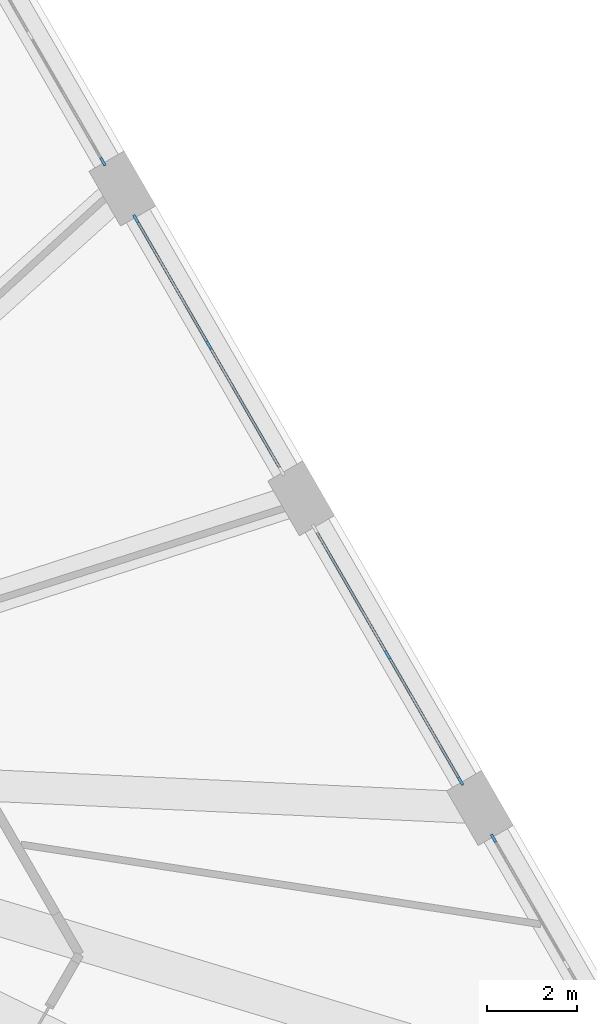
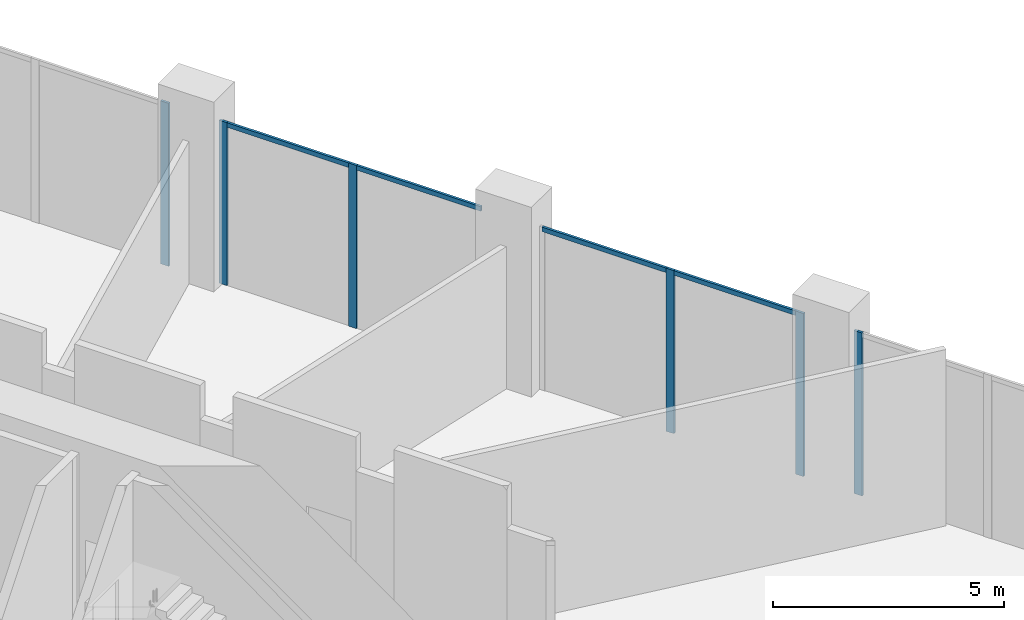
# One storey, part 10 of 20: 10 members, 4 elements without a shape of their own.
"""IFC4 building model written with IfcOpenShell, lengths in metres."""

import ifcopenshell
import ifcopenshell.guid

model = None  # the IFC model being written
_history = None  # IfcOwnerHistory: only IFC2X3 demands one
_inside = {}  # id of a spatial element -> (the spatial element, [elements in it])
_under = {}  # id of a project, library or spatial element -> (it, [spatial elements below it])
_declared = {}  # id of a project -> (the project, [libraries it declares])
_typed = {}  # id of a type object -> (the type object, [elements of that type])
_made_of = {}  # id of a material, layer set ... -> (it, [elements and type objects made of it])


def new_model(schema):
    """Start an empty IFC model of exactly this schema.

    Asked for "IFC4X3", IfcOpenShell would pick the latest addendum, in which some entities
    have other attributes; the version numbers below select the first issue.
    IFC2X3 requires an IfcOwnerHistory on every rooted entity: one is made here for all.
    """
    global model, _history
    if schema == "IFC4X3":
        model = ifcopenshell.file(schema_version=(4, 3, 0, 0))
    else:
        model = ifcopenshell.file(schema=schema)
    _inside.clear()
    _under.clear()
    _declared.clear()
    _typed.clear()
    _made_of.clear()
    _history = None
    if model.schema == "IFC2X3":
        org = make("IfcOrganization", Name="unknown")
        user = make(
            "IfcPersonAndOrganization",
            ThePerson=make("IfcPerson", FamilyName="unknown"),
            TheOrganization=org,
        )
        app = make(
            "IfcApplication",
            ApplicationDeveloper=org,
            Version="unknown",
            ApplicationFullName="unknown",
            ApplicationIdentifier="unknown",
        )
        _history = make(
            "IfcOwnerHistory",
            OwningUser=user,
            OwningApplication=app,
            ChangeAction="ADDED",
            CreationDate=0,
        )
    return model


def make(cls, **values):
    """One entity of the class cls with the attributes given. An attribute that is None is left unset."""
    return model.create_entity(
        cls, **{name: value for name, value in values.items() if value is not None}
    )


def rooted(cls, **values):
    """An entity with a GlobalId (a new one), such as an element, a storey or a relation."""
    return make(cls, GlobalId=ifcopenshell.guid.new(), OwnerHistory=_history, **values)


def si_unit(unit_type, name, prefix=None):
    """IfcSIUnit, for example si_unit("LENGTHUNIT", "METRE", prefix="MILLI")."""
    return make("IfcSIUnit", UnitType=unit_type, Prefix=prefix, Name=name)


def assignment(units):
    """IfcUnitAssignment: the units of a project."""
    return None if units is None else make("IfcUnitAssignment", Units=units)


def point(xyz):
    """IfcCartesianPoint."""
    return None if xyz is None else make("IfcCartesianPoint", Coordinates=xyz)


def direction(xyz):
    """IfcDirection."""
    return None if xyz is None else make("IfcDirection", DirectionRatios=xyz)


def frame(location, z_axis=None, x_axis=None):
    """IfcAxis2Placement3D, a coordinate frame: its origin and axes. An axis left out is left unset."""
    return make(
        "IfcAxis2Placement3D",
        Location=point(location),
        Axis=direction(z_axis),
        RefDirection=direction(x_axis),
    )


def frame_2d(location, x_axis=None):
    """IfcAxis2Placement2D, a coordinate frame in the plane: its origin and x axis."""
    return make(
        "IfcAxis2Placement2D", Location=point(location), RefDirection=direction(x_axis)
    )


def origin():
    """The frame at (0, 0, 0) with its axes left unset."""
    return frame((0.0, 0.0, 0.0))


def origin_2d():
    """The frame at (0, 0) in the plane with its x axis left unset."""
    return frame_2d((0.0, 0.0))


def place(relative_to, where):
    """IfcLocalPlacement: puts the frame where relative to a parent placement (None: the world)."""
    return make(
        "IfcLocalPlacement", PlacementRelTo=relative_to, RelativePlacement=where
    )


def context(
    kind, dimensions, precision=None, world=None, true_north=None, identifier=None
):
    """IfcGeometricRepresentationContext, for example the 3D "Model" context."""
    return make(
        "IfcGeometricRepresentationContext",
        ContextIdentifier=identifier,
        ContextType=kind,
        CoordinateSpaceDimension=dimensions,
        Precision=precision,
        WorldCoordinateSystem=world,
        TrueNorth=true_north,
    )


def subcontext(parent, identifier, kind, view, scale=None):
    """IfcGeometricRepresentationSubContext, for example "Body" below "Model"."""
    return make(
        "IfcGeometricRepresentationSubContext",
        ContextIdentifier=identifier,
        ContextType=kind,
        ParentContext=parent,
        TargetScale=scale,
        TargetView=view,
    )


def project(units=None, contexts=None):
    """IfcProject with its units and contexts."""
    return rooted(
        "IfcProject",
        Name="project",
        RepresentationContexts=contexts,
        UnitsInContext=assignment(units),
    )


def spatial(cls, under=None, at=None, **own):
    """A site, building, storey or space (cls), placed at a placement, below another one or the project."""
    s = rooted(cls, ObjectPlacement=at, **own)
    if under is not None:
        _under.setdefault(under.id(), (under, []))[1].append(s)
    return s


def profile(cls, at=None, kind="AREA", **sizes):
    """A parametric profile (cls). Its sizes go by their IFC names, for example OverallWidth=200.0."""
    return make(cls, ProfileType=kind, Position=at, **sizes)


def rectangle(**sizes):
    """IfcRectangleProfileDef."""
    return profile("IfcRectangleProfileDef", **sizes)


def extrude(swept, where, along, depth):
    """IfcExtrudedAreaSolid: the profile swept, set in the frame where, extruded along a direction by depth."""
    return make(
        "IfcExtrudedAreaSolid",
        SweptArea=swept,
        Position=where,
        ExtrudedDirection=direction(along),
        Depth=depth,
    )


def shape(context_of_items, identifier, shape_type, items):
    """IfcShapeRepresentation: the items that make up one representation, for example the "Body"."""
    return make(
        "IfcShapeRepresentation",
        ContextOfItems=context_of_items,
        RepresentationIdentifier=identifier,
        RepresentationType=shape_type,
        Items=items,
    )


def material(Name=None, Category=None):
    """IfcMaterial."""
    return make("IfcMaterial", Name=Name, Category=Category)


def layer(
    of_material, thickness, ventilated=None, Name=None, Category=None, Priority=None
):
    """IfcMaterialLayer: one layer of a wall or slab, of a material (None: an air gap)."""
    return make(
        "IfcMaterialLayer",
        Material=of_material,
        LayerThickness=thickness,
        IsVentilated=ventilated,
        Name=Name,
        Category=Category,
        Priority=Priority,
    )


def layer_set(layers, Name=None):
    """IfcMaterialLayerSet."""
    return make("IfcMaterialLayerSet", MaterialLayers=layers, LayerSetName=Name)


def material_profile(
    of_material, cross_section, Name=None, Category=None, Priority=None
):
    """IfcMaterialProfile: a cross section and its material."""
    return make(
        "IfcMaterialProfile",
        Name=Name,
        Material=of_material,
        Profile=cross_section,
        Priority=Priority,
        Category=Category,
    )


def profile_set(profiles, Name=None, composite=None):
    """IfcMaterialProfileSet."""
    return make(
        "IfcMaterialProfileSet",
        Name=Name,
        MaterialProfiles=profiles,
        CompositeProfile=composite,
    )


def made_of(thing, what):
    """Note that an element or type object is made of a material, layer set ...; save() writes the relation."""
    if what is not None:
        _made_of.setdefault(what.id(), (what, []))[1].append(thing)
    return thing


def type_object(cls, material=None, **own):
    """A type object (cls), such as IfcWallType, which elements share."""
    return made_of(rooted(cls, **own), material)


def element(
    cls,
    number,
    at=None,
    inside=None,
    cuts=None,
    type_object=None,
    material=None,
    context=None,
    identifier="Body",
    shape_type=None,
    held_by="IfcProductDefinitionShape",
    body=None,
    shapes=None,
    **own,
):
    """One element of the class cls, such as IfcWall. Its Tag is "e" and its number.

    at: its placement. inside: the storey or other place that contains it. cuts: it is an
    opening in that element (IfcRelVoidsElement). A single representation is given by context,
    identifier, shape_type and body (its items); several are given by shapes. held_by: the class
    of the entity that holds the representations. save() writes the other relations.
    """
    e = rooted(cls, Tag="e%d" % number, ObjectPlacement=at, **own)
    if body is not None:
        shapes = [shape(context, identifier, shape_type, body)]
    if shapes is not None:
        e.Representation = make(held_by, Representations=shapes)
    if inside is not None:
        _inside.setdefault(inside.id(), (inside, []))[1].append(e)
    if cuts is not None:
        rooted(
            "IfcRelVoidsElement", RelatingBuildingElement=cuts, RelatedOpeningElement=e
        )
    if type_object is not None:
        _typed.setdefault(type_object.id(), (type_object, []))[1].append(e)
    return made_of(e, material)


def aggregate(whole, parts):
    """IfcRelAggregates: a whole, such as a stair, and the parts it consists of."""
    return rooted("IfcRelAggregates", RelatingObject=whole, RelatedObjects=parts)


def save(model, path):
    """Write the relations noted so far, then the file.

    IfcRelAggregates (storeys below a building ...), IfcRelContainedInSpatialStructure (elements
    in a storey), IfcRelDefinesByType, IfcRelAssociatesMaterial and IfcRelDeclares: one each for
    every whole, place, type object, material and project.
    """
    for whole, parts in _under.values():
        aggregate(whole, parts)
    for where, things in _inside.values():
        rooted(
            "IfcRelContainedInSpatialStructure",
            RelatedElements=things,
            RelatingStructure=where,
        )
    for kind, things in _typed.values():
        rooted("IfcRelDefinesByType", RelatedObjects=things, RelatingType=kind)
    for what, things in _made_of.values():
        rooted("IfcRelAssociatesMaterial", RelatedObjects=things, RelatingMaterial=what)
    for by, libraries in _declared.values():
        rooted("IfcRelDeclares", RelatingContext=by, RelatedDefinitions=libraries)
    model.write(path)


model = new_model("IFC4")

# Units and contexts
model_context = context("Model", 3, precision=1e-05, world=origin(), true_north=direction((0.0, 1.0)))
body_context = subcontext(model_context, "Body", "Model", "MODEL_VIEW")
ifc_project = project(units=[si_unit("LENGTHUNIT", "METRE"), si_unit("AREAUNIT", "SQUARE_METRE"), si_unit("VOLUMEUNIT", "CUBIC_METRE"), si_unit("PLANEANGLEUNIT", "RADIAN"), si_unit("MASSUNIT", "GRAM", prefix="KILO")], contexts=[model_context])

# Site, building, storey
site_placement = place(None, origin())
site = spatial("IfcSite", under=ifc_project, at=site_placement, CompositionType="ELEMENT")
building_placement = place(site_placement, origin())
building = spatial("IfcBuilding", under=site, at=building_placement, Name="Tramontana Tower", CompositionType="ELEMENT")
storey_placement = place(building_placement, frame((0.0, 0.0, 10.0)))
storey = spatial("IfcBuildingStorey", under=building, at=storey_placement, Name="L01", CompositionType="ELEMENT", Elevation=10.0)

# Curtain wall, member
ifc_material_1 = material(Name="Aluminum extrusion", Category="aluminium")
ifc_layer = layer(ifc_material_1, 0.14990234375)
ifc_layer_set = layer_set([ifc_layer], Name="CW2 Podium amenity curtain wall")
curtain_wall_type = type_object("IfcCurtainWallType", Name="CW2 Podium amenity curtain wall", PredefinedType="NOTDEFINED", material=ifc_layer_set)
curtain_wall_1_placement = place(storey_placement, origin())
curtain_wall_1 = element("IfcCurtainWall", 1, at=curtain_wall_1_placement, inside=storey, type_object=curtain_wall_type, Name="CW2 curtain wall L01 face 2 bay 2", PredefinedType="NOTDEFINED")
ifc_material_2 = material(Name="Aluminum extrusion", Category="aluminium")
ifc_material_profile_1 = material_profile(ifc_material_2, rectangle(XDim=0.06005859375, YDim=0.199951171875, at=origin_2d()), Name="CW2-M Mullion 60 x 200")
ifc_profile_set_1 = profile_set([ifc_material_profile_1], Name="Aluminum extrusion")
member_type_1 = type_object("IfcMemberType", Name="CW2-M Mullion 60 x 200", PredefinedType="MULLION", material=ifc_profile_set_1)
member_1_placement = place(storey_placement, frame((22.30322265625, -1.680419921875, 0.0), z_axis=(0.0, 0.0, 1.0), x_axis=(-0.866025403784, -0.5, 0.0)))
member_1 = element("IfcMember", 2, at=member_1_placement, type_object=member_type_1, Name="CW2 curtain wall L01 face 2 bay 2 mullion 3", PredefinedType="MULLION", context=body_context, shape_type="SweptSolid", body=[
    extrude(rectangle(XDim=0.06005859375, YDim=0.199951171875, at=origin_2d()), origin(), (0.0, 0.0, 1.0), 4.300048828125),
])
aggregate(curtain_wall_1, [member_1])

# Curtain wall, members
curtain_wall_2_placement = place(storey_placement, origin())
curtain_wall_2 = element("IfcCurtainWall", 3, at=curtain_wall_2_placement, inside=storey, type_object=curtain_wall_type, Name="CW2 curtain wall L01 face 2 bay 3", PredefinedType="NOTDEFINED")
member_2_placement = place(storey_placement, frame((21.5732421875, -0.416015625, 0.0), z_axis=(0.0, 0.0, 1.0), x_axis=(-0.866025403784, -0.5, 0.0)))
member_2 = element("IfcMember", 4, at=member_2_placement, type_object=member_type_1, Name="CW2 curtain wall L01 face 2 bay 3 mullion 1", PredefinedType="MULLION", context=body_context, shape_type="SweptSolid", body=[
    extrude(rectangle(XDim=0.06005859375, YDim=0.199951171875, at=origin_2d()), origin(), (0.0, 0.0, 1.0), 4.300048828125),
])
member_3_placement = place(storey_placement, frame((19.958740234375, 2.38037109375, 0.0), z_axis=(0.0, 0.0, 1.0), x_axis=(-0.866025403784, -0.5, 0.0)))
member_3 = element("IfcMember", 5, at=member_3_placement, type_object=member_type_1, Name="CW2 curtain wall L01 face 2 bay 3 mullion 2", PredefinedType="MULLION", context=body_context, shape_type="SweptSolid", body=[
    extrude(rectangle(XDim=0.06005859375, YDim=0.199951171875, at=origin_2d()), origin(), (0.0, 0.0, 1.0), 4.300048828125),
])

curtain_wall_3_placement = place(storey_placement, origin())
curtain_wall_3 = element("IfcCurtainWall", 6, at=curtain_wall_3_placement, inside=storey, type_object=curtain_wall_type, Name="CW2 curtain wall L01 face 2 bay 4", PredefinedType="NOTDEFINED")
member_4_placement = place(storey_placement, frame((15.999755859375, 9.237548828125, 0.0), z_axis=(0.0, 0.0, 1.0), x_axis=(-0.866025403784, -0.5, 0.0)))
member_4 = element("IfcMember", 7, at=member_4_placement, type_object=member_type_1, Name="CW2 curtain wall L01 face 2 bay 4 mullion 2", PredefinedType="MULLION", context=body_context, shape_type="SweptSolid", body=[
    extrude(rectangle(XDim=0.06005859375, YDim=0.199951171875, at=origin_2d()), origin(), (0.0, 0.0, 1.0), 4.300048828125),
])
member_5_placement = place(storey_placement, frame((14.38525390625, 12.033935546875, 0.0), z_axis=(0.0, 0.0, 1.0), x_axis=(-0.866025403784, -0.5, 0.0)))
member_5 = element("IfcMember", 8, at=member_5_placement, type_object=member_type_1, Name="CW2 curtain wall L01 face 2 bay 4 mullion 3", PredefinedType="MULLION", context=body_context, shape_type="SweptSolid", body=[
    extrude(rectangle(XDim=0.06005859375, YDim=0.199951171875, at=origin_2d()), origin(), (0.0, 0.0, 1.0), 4.300048828125),
])

# Curtain wall, member
curtain_wall_4_placement = place(storey_placement, origin())
curtain_wall_4 = element("IfcCurtainWall", 9, at=curtain_wall_4_placement, inside=storey, type_object=curtain_wall_type, Name="CW2 curtain wall L01 face 2 bay 5", PredefinedType="NOTDEFINED")
member_6_placement = place(storey_placement, frame((13.6552734375, 13.29833984375, 0.0), z_axis=(0.0, 0.0, 1.0), x_axis=(-0.866025403784, -0.5, 0.0)))
member_6 = element("IfcMember", 10, at=member_6_placement, type_object=member_type_1, Name="CW2 curtain wall L01 face 2 bay 5 mullion 1", PredefinedType="MULLION", context=body_context, shape_type="SweptSolid", body=[
    extrude(rectangle(XDim=0.06005859375, YDim=0.199951171875, at=origin_2d()), origin(), (0.0, 0.0, 1.0), 4.300048828125),
])
aggregate(curtain_wall_4, [member_6])

# Member
ifc_material_3 = material(Name="Aluminum extrusion", Category="aluminium")
ifc_material_profile_2 = material_profile(ifc_material_3, rectangle(XDim=0.06005859375, YDim=0.1201171875, at=origin_2d()), Name="CW2-T Transom 60 x 120")
ifc_profile_set_2 = profile_set([ifc_material_profile_2], Name="Aluminum extrusion")
member_type_2 = type_object("IfcMemberType", Name="CW2-T Transom 60 x 120", PredefinedType="USERDEFINED", material=ifc_profile_set_2)
member_7_placement = place(storey_placement, frame((21.558349609375, -0.39013671875, 4.239990234375), z_axis=(-0.49996696679, 0.866044474677, 0.0), x_axis=(-0.866044474677, -0.49996696679, 0.0)))
member_7 = element("IfcMember", 11, at=member_7_placement, type_object=member_type_2, Name="CW2 curtain wall L01 face 2 bay 3 transom 1.1", ObjectType="TRANSOM", PredefinedType="USERDEFINED", context=body_context, shape_type="SweptSolid", body=[
    extrude(rectangle(XDim=0.06005859375, YDim=0.1201171875, at=origin_2d()), origin(), (0.0, 0.0, 1.0), 3.169189453125),
])

member_8_placement = place(storey_placement, frame((19.94384765625, 2.40625, 4.239990234375), z_axis=(-0.500000324964, 0.866025216166, 0.0), x_axis=(-0.866025216166, -0.500000324964, 0.0)))
member_8 = element("IfcMember", 12, at=member_8_placement, type_object=member_type_2, Name="CW2 curtain wall L01 face 2 bay 3 transom 2.1", ObjectType="TRANSOM", PredefinedType="USERDEFINED", context=body_context, shape_type="SweptSolid", body=[
    extrude(rectangle(XDim=0.06005859375, YDim=0.1201171875, at=origin_2d()), origin(), (0.0, 0.0, 1.0), 3.1689453125),
])

aggregate(curtain_wall_2, [member_2, member_3, member_7, member_8])

member_9_placement = place(storey_placement, frame((17.599365234375, 6.467041015625, 4.239990234375), z_axis=(-0.500000324964, 0.866025216166, 0.0), x_axis=(-0.866025216166, -0.500000324964, 0.0)))
member_9 = element("IfcMember", 13, at=member_9_placement, type_object=member_type_2, Name="CW2 curtain wall L01 face 2 bay 4 transom 1.1", ObjectType="TRANSOM", PredefinedType="USERDEFINED", context=body_context, shape_type="SweptSolid", body=[
    extrude(rectangle(XDim=0.06005859375, YDim=0.1201171875, at=origin_2d()), origin(), (0.0, 0.0, 1.0), 3.1689453125),
])

member_10_placement = place(storey_placement, frame((15.98486328125, 9.263427734375, 4.239990234375), z_axis=(-0.500000324964, 0.866025216166, 0.0), x_axis=(-0.866025216166, -0.500000324964, 0.0)))
member_10 = element("IfcMember", 14, at=member_10_placement, type_object=member_type_2, Name="CW2 curtain wall L01 face 2 bay 4 transom 2.1", ObjectType="TRANSOM", PredefinedType="USERDEFINED", context=body_context, shape_type="SweptSolid", body=[
    extrude(rectangle(XDim=0.06005859375, YDim=0.1201171875, at=origin_2d()), origin(), (0.0, 0.0, 1.0), 3.1689453125),
])

aggregate(curtain_wall_3, [member_4, member_5, member_9, member_10])

save(model, "model.ifc")
